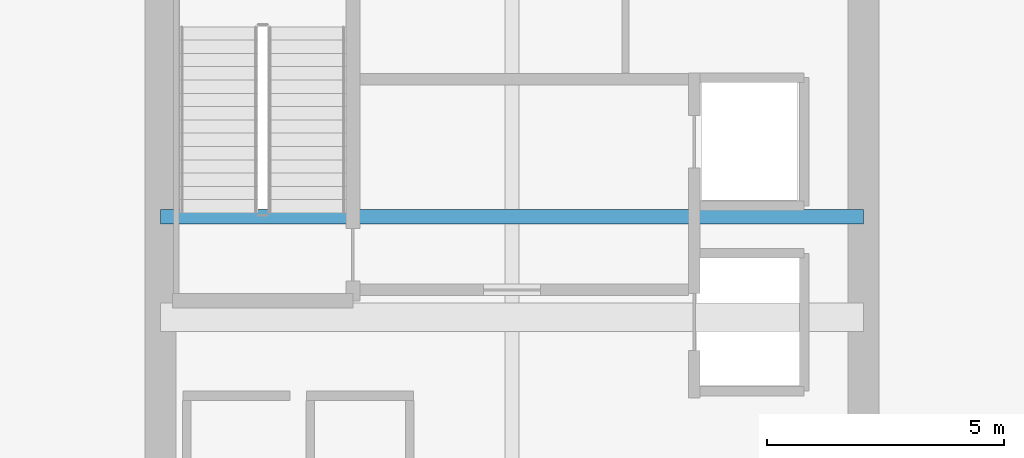
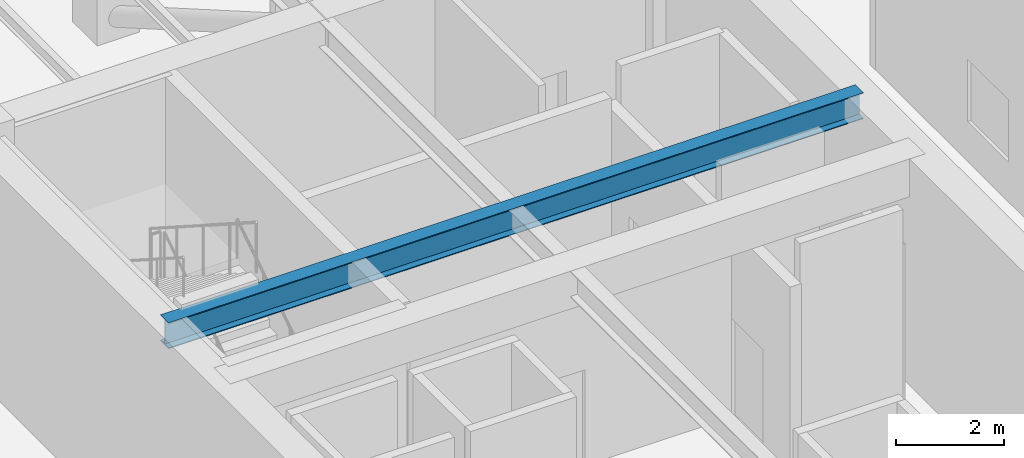
# One storey, part 9 of 34: 1 beam.
"""IFC4 building model written with IfcOpenShell, lengths in metres."""

from ifc_helpers import new_model, si_unit, direction, frame, origin, origin_2d, place, context, subcontext, project, spatial, i_section, extrude, source, transform, mapped, material, material_profile, profile_set, type_object, type_shapes, element, save


model = new_model("IFC4")

# Units and contexts
model_context = context("Model", 3, precision=1e-05, world=origin(), true_north=direction((0.0, 1.0)))
body_context = subcontext(model_context, "Body", "Model", "MODEL_VIEW")
ifc_project = project(units=[si_unit("LENGTHUNIT", "METRE"), si_unit("AREAUNIT", "SQUARE_METRE"), si_unit("VOLUMEUNIT", "CUBIC_METRE"), si_unit("PLANEANGLEUNIT", "RADIAN"), si_unit("MASSUNIT", "GRAM", prefix="KILO")], contexts=[model_context])

# Site, building, storey
site_placement = place(None, origin())
site = spatial("IfcSite", under=ifc_project, at=site_placement, CompositionType="ELEMENT")
building_placement = place(site_placement, origin())
building = spatial("IfcBuilding", under=site, at=building_placement, Name="Haelvirn Gate Laboratories", CompositionType="ELEMENT")
storey_placement = place(building_placement, frame((0.0, 0.0, 191.199951171875)))
storey = spatial("IfcBuildingStorey", under=building, at=storey_placement, Name="L46", CompositionType="ELEMENT", Elevation=191.199951171875)

# Beam
ifc_material = material(Name="Steel SM355", Category="steel")
ifc_material_profile = material_profile(ifc_material, i_section(OverallWidth=0.300048828125, OverallDepth=0.587890625, WebThickness=0.011962890625, FlangeThickness=0.02001953125, at=origin_2d()), Name="H-588x300x12x20")
ifc_profile_set = profile_set([ifc_material_profile], Name="Steel SM355")
beam_type = type_object("IfcBeamType", Name="BM-G-588", PredefinedType="BEAM", material=ifc_profile_set)
shared_shape = source(origin(), body_context, "Body", "SweptSolid", [
    extrude(i_section(OverallWidth=0.300048828125, OverallDepth=0.587890625, WebThickness=0.011962890625, FlangeThickness=0.02001953125, at=origin_2d()), origin(), (0.0, 0.0, 1.0), 14.800048828125),
])
type_shapes(beam_type, [shared_shape])
beam_placement = place(storey_placement, frame((7.39990234375, 26.6201171875, 4.80615234375), z_axis=(1.0, 0.0, 0.0), x_axis=(0.0, 1.0, 0.0)))
element("IfcBeam", 1, at=beam_placement, inside=storey, type_object=beam_type, Name="L46 Stair ST1 Landing Header", PredefinedType="BEAM", context=body_context, shape_type="MappedRepresentation", body=[
    mapped(shared_shape, transform((0.0, 0.0, 0.0), scale=1.0)),
])

save(model, "model.ifc")
